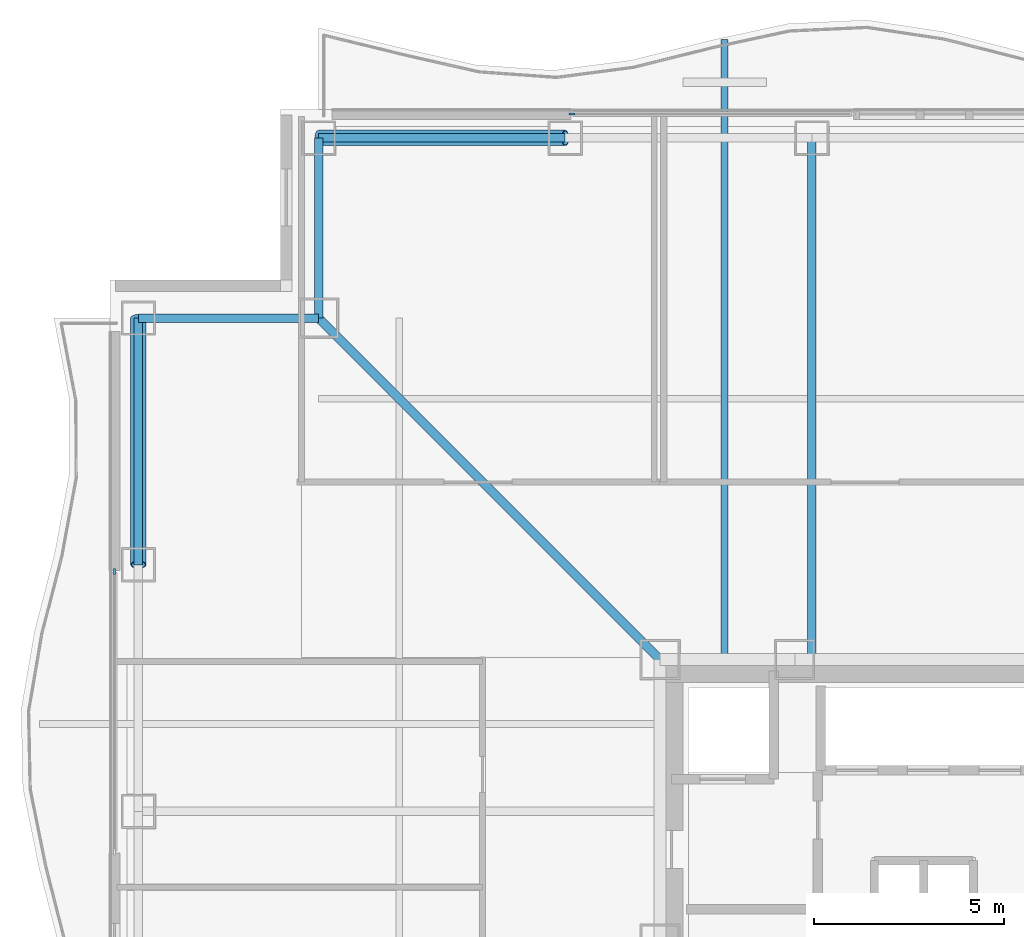
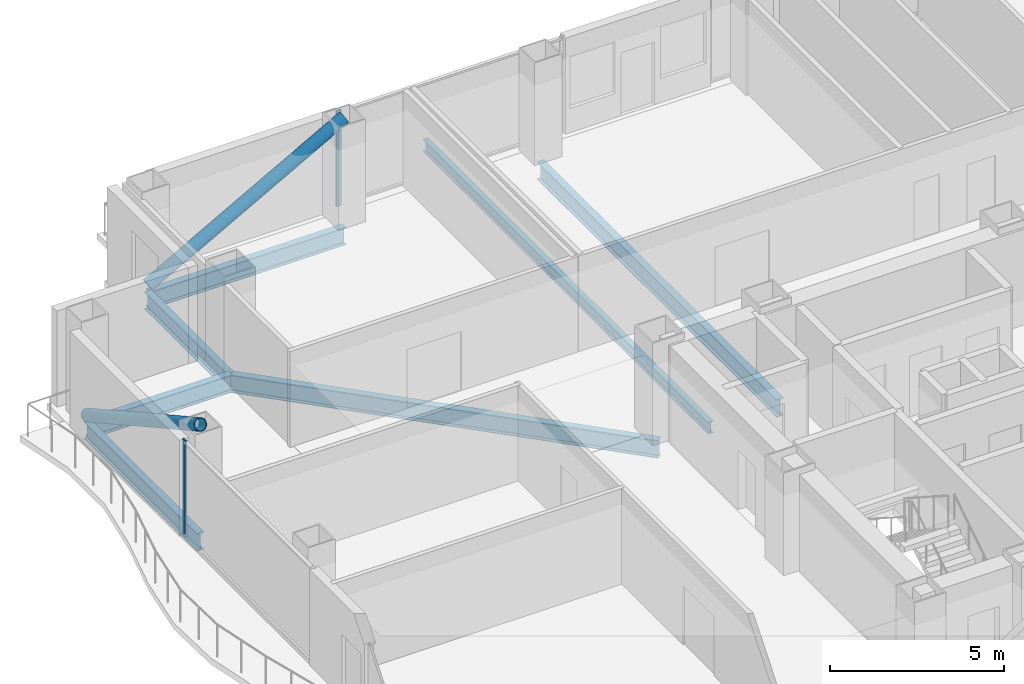
# One storey, part 8 of 18: 7 beams, 4 members, 2 elements without a shape of their own.
"""IFC4 building model written with IfcOpenShell, lengths in metres."""

from ifc_helpers import new_model, si_unit, direction, frame, origin, origin_2d, place, context, subcontext, project, spatial, rectangle, hollow_circle, i_section, extrude, material, layer, layer_set, material_profile, profile_set, type_object, element, aggregate, save


model = new_model("IFC4")

# Units and contexts
model_context = context("Model", 3, precision=1e-05, world=origin(), true_north=direction((0.0, 1.0)))
body_context = subcontext(model_context, "Body", "Model", "MODEL_VIEW")
ifc_project = project(units=[si_unit("LENGTHUNIT", "METRE"), si_unit("AREAUNIT", "SQUARE_METRE"), si_unit("VOLUMEUNIT", "CUBIC_METRE"), si_unit("PLANEANGLEUNIT", "RADIAN"), si_unit("MASSUNIT", "GRAM", prefix="KILO")], contexts=[model_context])

# Site, building, storey
site_placement = place(None, origin())
site = spatial("IfcSite", under=ifc_project, at=site_placement, CompositionType="ELEMENT")
building_placement = place(site_placement, origin())
building = spatial("IfcBuilding", under=site, at=building_placement, Name="Trevonay Congress Spire", CompositionType="ELEMENT")
storey_placement = place(building_placement, frame((0.0, 0.0, 122.800048828125)))
storey = spatial("IfcBuildingStorey", under=building, at=storey_placement, Name="L31", CompositionType="ELEMENT", Elevation=122.800048828125)

# Beams
ifc_material_1 = material(Name="Steel ASTM A572 Grade 50", Category="steel")
ifc_material_profile_1 = material_profile(ifc_material_1, i_section(OverallWidth=0.22998046875, OverallDepth=0.616943359375, WebThickness=0.01318359375, FlangeThickness=0.022216796875, FilletRadius=0.01611328125, at=origin_2d()), Name="W610x140")
ifc_profile_set_1 = profile_set([ifc_material_profile_1], Name="Steel ASTM A572 Grade 50")
beam_type_1 = type_object("IfcBeamType", Name="BM-GIRD-W610X140", PredefinedType="BEAM", material=ifc_profile_set_1)
beam_1_placement = place(storey_placement, frame((-7.5, 7.5, -0.548583984375), z_axis=(-0.707106781187, 0.707106781187, 0.0), x_axis=(-0.707106781187, -0.707106781187, 0.0)))
element("IfcBeam", 1, at=beam_1_placement, inside=storey, type_object=beam_type_1, Name="L31 structural beam BM-L31-CDNW", PredefinedType="BEAM", context=body_context, shape_type="SweptSolid", body=[
    extrude(i_section(OverallWidth=0.22998046875, OverallDepth=0.616943359375, WebThickness=0.01318359375, FlangeThickness=0.022216796875, FilletRadius=0.01611328125, at=origin_2d()), origin(), (0.0, 0.0, 1.0), 12.72802734375),
])
beam_2_placement = place(storey_placement, frame((-3.5, 7.5, -0.548583984375), z_axis=(0.0, 1.0, 0.0), x_axis=(-1.0, 0.0, 0.0)))
element("IfcBeam", 2, at=beam_2_placement, inside=storey, type_object=beam_type_1, Name="L31 structural beam BM-L31-GN-M", PredefinedType="BEAM", context=body_context, shape_type="SweptSolid", body=[
    extrude(i_section(OverallWidth=0.22998046875, OverallDepth=0.616943359375, WebThickness=0.01318359375, FlangeThickness=0.022216796875, FilletRadius=0.01611328125, at=origin_2d()), origin(), (0.0, 0.0, 1.0), 13.75),
])
ifc_material_profile_2 = material_profile(ifc_material_1, i_section(OverallWidth=0.22802734375, OverallDepth=0.60791015625, WebThickness=0.01123046875, FlangeThickness=0.017333984375, FilletRadius=0.01611328125, at=origin_2d()), Name="W610x113")
ifc_profile_set_2 = profile_set([ifc_material_profile_2], Name="Steel ASTM A572 Grade 50")
beam_type_2 = type_object("IfcBeamType", Name="BM-RING-W610X113", PredefinedType="BEAM", material=ifc_profile_set_2)
for number, where, z_axis, x_axis, name in (
    (3, (-16.5, 21.25, -0.5439453125), (1.0, 0.0, 0.0), (0.0, 1.0, 0.0), "L31 structural beam BM-L31-PN1"),
    (4, (-21.25, 10.0, -0.5439453125), (0.0, 1.0, 0.0), (-1.0, 0.0, 0.0), "L31 structural beam BM-L31-PW5"),
):
    element("IfcBeam", number, at=place(storey_placement, frame(where, z_axis=z_axis, x_axis=x_axis)), inside=storey, type_object=beam_type_2, Name=name, PredefinedType="BEAM", context=body_context, shape_type="SweptSolid", body=[
        extrude(i_section(OverallWidth=0.22802734375, OverallDepth=0.60791015625, WebThickness=0.01123046875, FlangeThickness=0.017333984375, FilletRadius=0.01611328125, at=origin_2d()), origin(), (0.0, 0.0, 1.0), 6.5),
    ])
for number, where, z_axis, x_axis, name in (
    (5, (-16.5, 21.25, -0.5439453125), (0.0, -1.0, 0.0), (1.0, 0.0, 0.0), "L31 structural beam BM-L31-N1NW"),
    (6, (-21.25, 16.5, -0.5439453125), (1.0, 0.0, 0.0), (0.0, 1.0, 0.0), "L31 structural beam BM-L31-N2NW"),
):
    element("IfcBeam", number, at=place(storey_placement, frame(where, z_axis=z_axis, x_axis=x_axis)), inside=storey, type_object=beam_type_2, Name=name, PredefinedType="BEAM", context=body_context, shape_type="SweptSolid", body=[
        extrude(i_section(OverallWidth=0.22802734375, OverallDepth=0.60791015625, WebThickness=0.01123046875, FlangeThickness=0.017333984375, FilletRadius=0.01611328125, at=origin_2d()), origin(), (0.0, 0.0, 1.0), 4.75),
    ])
ifc_material_profile_3 = material_profile(ifc_material_1, i_section(OverallWidth=0.180908203125, OverallDepth=0.4169921875, WebThickness=0.010986328125, FlangeThickness=0.018310546875, FilletRadius=0.012939453125, at=origin_2d()), Name="W410x85")
ifc_profile_set_3 = profile_set([ifc_material_profile_3], Name="Steel ASTM A572 Grade 50")
beam_type_3 = type_object("IfcBeamType", Name="BM-WAV-LOOKOUT", PredefinedType="BEAM", material=ifc_profile_set_3)
beam_3_placement = place(storey_placement, frame((-5.800048828125, 7.5, -0.448486328125), z_axis=(0.0, 1.0, 0.0), x_axis=(-1.0, 0.0, 0.0)))
element("IfcBeam", 7, at=beam_3_placement, inside=storey, type_object=beam_type_3, Name="L31 structural beam WLK-L31-N1", PredefinedType="BEAM", context=body_context, shape_type="SweptSolid", body=[
    extrude(i_section(OverallWidth=0.180908203125, OverallDepth=0.4169921875, WebThickness=0.010986328125, FlangeThickness=0.018310546875, FilletRadius=0.012939453125, at=origin_2d()), origin(), (0.0, 0.0, 1.0), 16.35009765625),
])

# Curtain wall, member
ifc_material_2 = material(Name="Pale Anodised Aluminium EN AW-6063-T6", Category="aluminium")
ifc_layer = layer(ifc_material_2, 0.175048828125, Name="Pale Anodised Aluminium EN AW-6063-T6")
ifc_layer_set = layer_set([ifc_layer], Name="Pale Anodised Aluminium EN AW-6063-T6")
curtain_wall_type = type_object("IfcCurtainWallType", Name="CW-SYS03-CONGRESS-PALE-METAL", PredefinedType="NOTDEFINED", material=ifc_layer_set)
curtain_wall_1_placement = place(storey_placement, origin())
curtain_wall_1 = element("IfcCurtainWall", 8, at=curtain_wall_1_placement, inside=storey, type_object=curtain_wall_type, Name="L31 NA unitised curtain wall", PredefinedType="NOTDEFINED")
ifc_material_profile_4 = material_profile(ifc_material_2, rectangle(XDim=0.06005859375, YDim=0.159912109375, at=origin_2d()), Name="CW-MULLION-160-ALUMINIUM")
ifc_profile_set_4 = profile_set([ifc_material_profile_4], Name="Pale Anodised Aluminium EN AW-6063-T6")
member_type_1 = type_object("IfcMemberType", Name="CW-MULLION-160-ALUMINIUM", PredefinedType="MULLION", material=ifc_profile_set_4)
member_1_placement = place(storey_placement, frame((-9.820068359375, 21.8798828125, 0.0), z_axis=(0.0, 0.0, 1.0), x_axis=(0.0, 1.0, 0.0)))
member_1 = element("IfcMember", 9, at=member_1_placement, type_object=member_type_1, Name="CW03 mullion 1", PredefinedType="MULLION", context=body_context, shape_type="SweptSolid", body=[
    extrude(rectangle(XDim=0.06005859375, YDim=0.159912109375, at=origin_2d()), origin(), (0.0, 0.0, 1.0), 3.35986328125),
])
aggregate(curtain_wall_1, [member_1])

curtain_wall_2_placement = place(storey_placement, origin())
curtain_wall_2 = element("IfcCurtainWall", 10, at=curtain_wall_2_placement, inside=storey, type_object=curtain_wall_type, Name="L31 WB unitised curtain wall", PredefinedType="NOTDEFINED")
member_2_placement = place(storey_placement, frame((-21.8798828125, 9.820068359375, 0.0), z_axis=(0.0, 0.0, 1.0), x_axis=(-1.0, 0.0, 0.0)))
member_2 = element("IfcMember", 11, at=member_2_placement, type_object=member_type_1, Name="CW03 mullion 2", PredefinedType="MULLION", context=body_context, shape_type="SweptSolid", body=[
    extrude(rectangle(XDim=0.06005859375, YDim=0.159912109375, at=origin_2d()), origin(), (0.0, 0.0, 1.0), 3.35986328125),
])
aggregate(curtain_wall_2, [member_2])

# Members
ifc_material_3 = material(Name="Steel ASTM A500 Grade C", Category="steel")
ifc_material_profile_5 = material_profile(ifc_material_3, hollow_circle(Radius=0.203125, WallThickness=0.02001953125, at=origin_2d()), Name="CHS 406.4x20")
ifc_profile_set_5 = profile_set([ifc_material_profile_5], Name="Steel ASTM A500 Grade C")
member_type_2 = type_object("IfcMemberType", Name="MBR-TUBE-CHS406", PredefinedType="BRACE", material=ifc_profile_set_5)
for number, where, z_axis, x_axis, name in (
    (12, (-16.5, 21.25, -0.050048828125), (0.874785785626, 0.0, 0.484509885623), (0.0, 1.0, 0.0), "L31 perimeter braced-tube diagonal N0"),
    (13, (-21.25, 16.5, -0.050048828125), (0.0, -0.874785785626, 0.484509885623), (1.0, 0.0, 0.0), "L31 perimeter braced-tube diagonal W4"),
):
    element("IfcMember", number, at=place(storey_placement, frame(where, z_axis=z_axis, x_axis=x_axis)), inside=storey, type_object=member_type_2, Name=name, PredefinedType="BRACE", context=body_context, shape_type="SweptSolid", body=[
        extrude(hollow_circle(Radius=0.203125, WallThickness=0.02001953125, at=origin_2d()), origin(), (0.0, 0.0, 1.0), 7.430419921875),
    ])

save(model, "model.ifc")
